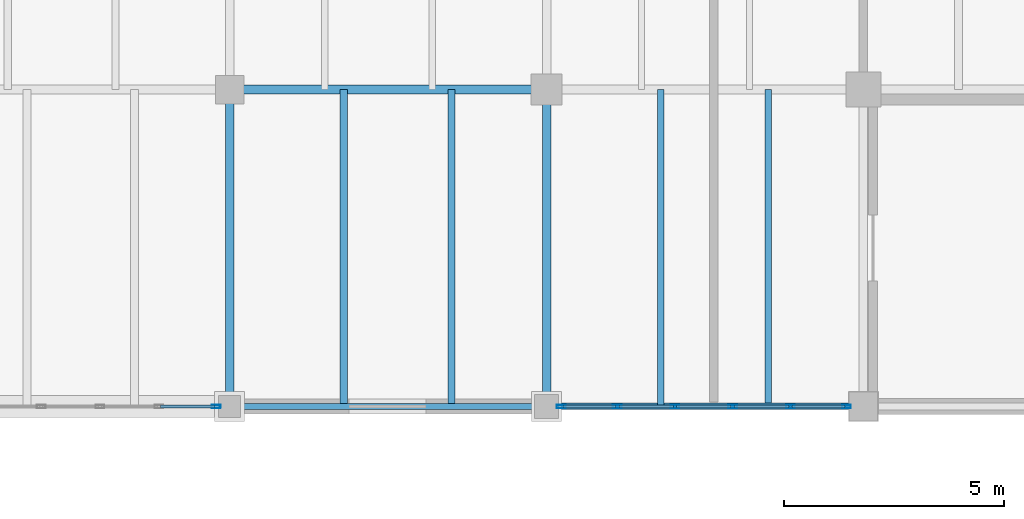
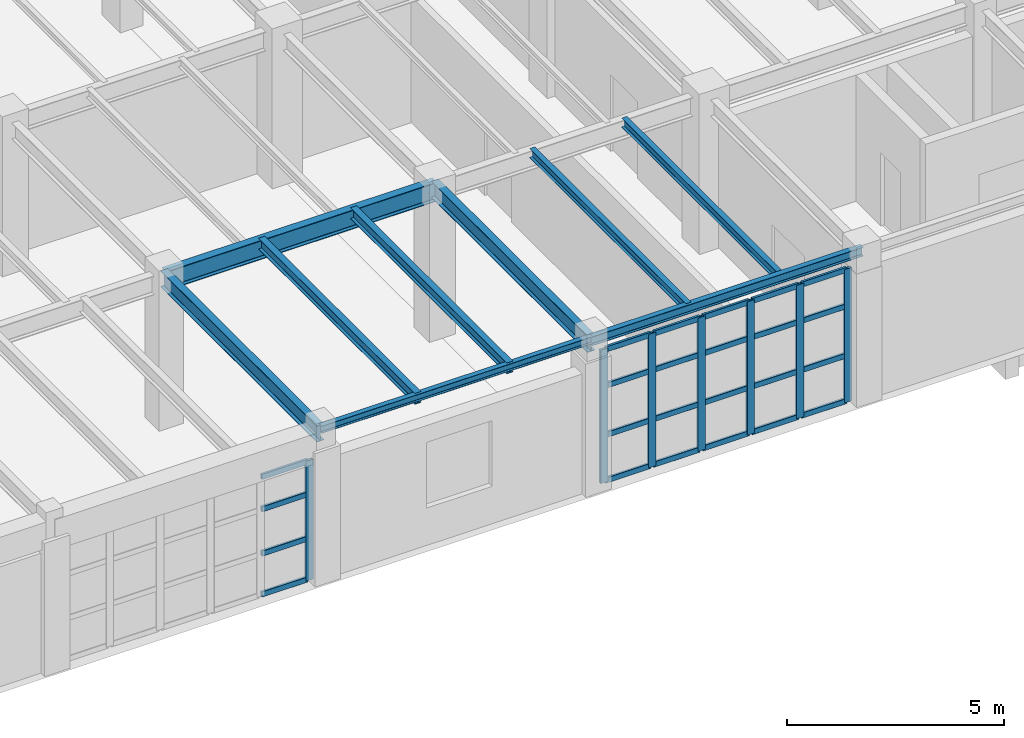
# One storey, part 83 of 137: 31 members, 9 beams, 2 elements without a shape of their own.
"""IFC4 building model written with IfcOpenShell, lengths in metres."""

from ifc_helpers import new_model, si_unit, direction, frame, origin, origin_2d, place, context, subcontext, project, spatial, hollow_rectangle, i_section, extrude, material, layer, layer_set, material_profile, profile_set, type_object, element, aggregate, save


model = new_model("IFC4")

# Units and contexts
model_context = context("Model", 3, precision=1e-05, world=origin(), true_north=direction((0.0, 1.0)))
body_context = subcontext(model_context, "Body", "Model", "MODEL_VIEW")
ifc_project = project(units=[si_unit("LENGTHUNIT", "METRE"), si_unit("AREAUNIT", "SQUARE_METRE"), si_unit("VOLUMEUNIT", "CUBIC_METRE"), si_unit("PLANEANGLEUNIT", "RADIAN"), si_unit("MASSUNIT", "GRAM", prefix="KILO")], contexts=[model_context])

# Site, building, storey
site_placement = place(None, origin())
site = spatial("IfcSite", under=ifc_project, at=site_placement, CompositionType="ELEMENT")
building_placement = place(site_placement, origin())
building = spatial("IfcBuilding", under=site, at=building_placement, Name="Kemerveld Promenade Tramway Depot", CompositionType="ELEMENT")
storey_placement = place(building_placement, frame((0.0, 0.0, 5.39990234375)))
storey = spatial("IfcBuildingStorey", under=building, at=storey_placement, Name="L01", CompositionType="ELEMENT", Elevation=5.39990234375)

# Beams
ifc_material_1 = material(Name="Steel S355", Category="steel")
ifc_material_profile_1 = material_profile(ifc_material_1, i_section(OverallWidth=0.2099609375, OverallDepth=0.53662109375, WebThickness=0.0107421875, FlangeThickness=0.017333984375, FilletRadius=0.0126953125, at=origin_2d()), Name="533x210x101 UB")
ifc_profile_set_1 = profile_set([ifc_material_profile_1], Name="Steel S355")
beam_type_1 = type_object("IfcBeamType", Name="BM-G05", PredefinedType="BEAM", material=ifc_profile_set_1)
beam_1_placement = place(storey_placement, frame((129.60009765625, 57.60009765625, 3.9716796875), z_axis=(1.0, 0.0, 0.0), x_axis=(0.0, 1.0, 0.0)))
element("IfcBeam", 1, at=beam_1_placement, inside=storey, type_object=beam_type_1, Name="BMX-L01-19-20-J", PredefinedType="BEAM", context=body_context, shape_type="SweptSolid", body=[
    extrude(i_section(OverallWidth=0.2099609375, OverallDepth=0.53662109375, WebThickness=0.0107421875, FlangeThickness=0.017333984375, FilletRadius=0.0126953125, at=origin_2d()), origin(), (0.0, 0.0, 1.0), 7.199951171875),
])
ifc_material_profile_2 = material_profile(ifc_material_1, i_section(OverallWidth=0.19140625, OverallDepth=0.4599609375, WebThickness=0.010009765625, FlangeThickness=0.01611328125, FilletRadius=0.01025390625, at=origin_2d()), Name="457x191x82 UB")
ifc_profile_set_2 = profile_set([ifc_material_profile_2], Name="Steel S355")
beam_type_2 = type_object("IfcBeamType", Name="BM-G06", PredefinedType="BEAM", material=ifc_profile_set_2)
for number, where, z_axis, x_axis, name in (
    (2, (129.60009765625, 50.39990234375, 4.010009765625), (0.0, 1.0, 0.0), (-1.0, 0.0, 0.0), "BMY-L01-19-H-J"),
    (3, (136.800048828125, 50.39990234375, 4.010009765625), (0.0, 1.0, 0.0), (-1.0, 0.0, 0.0), "BMY-L01-20-H-J"),
):
    element("IfcBeam", number, at=place(storey_placement, frame(where, z_axis=z_axis, x_axis=x_axis)), inside=storey, type_object=beam_type_2, Name=name, PredefinedType="BEAM", context=body_context, shape_type="SweptSolid", body=[
        extrude(i_section(OverallWidth=0.19140625, OverallDepth=0.4599609375, WebThickness=0.010009765625, FlangeThickness=0.01611328125, FilletRadius=0.01025390625, at=origin_2d()), origin(), (0.0, 0.0, 1.0), 7.2001953125),
    ])
ifc_material_profile_3 = material_profile(ifc_material_1, i_section(OverallWidth=0.13330078125, OverallDepth=0.203125, WebThickness=0.005615234375, FlangeThickness=0.0078125, FilletRadius=0.007568359375, at=origin_2d()), Name="203x133x25 UB")
ifc_profile_set_3 = profile_set([ifc_material_profile_3], Name="Steel S355")
beam_type_3 = type_object("IfcBeamType", Name="BM-G14", PredefinedType="BEAM", material=ifc_profile_set_3)
beam_2_placement = place(storey_placement, frame((129.60009765625, 50.39990234375, 4.138427734375), z_axis=(1.0, 0.0, 0.0), x_axis=(0.0, 1.0, 0.0)))
element("IfcBeam", 4, at=beam_2_placement, inside=storey, type_object=beam_type_3, Name="BMX-L01-19-20-H", PredefinedType="BEAM", context=body_context, shape_type="SweptSolid", body=[
    extrude(i_section(OverallWidth=0.13330078125, OverallDepth=0.203125, WebThickness=0.005615234375, FlangeThickness=0.0078125, FilletRadius=0.007568359375, at=origin_2d()), origin(), (0.0, 0.0, 1.0), 7.199951171875),
])
ifc_material_profile_4 = material_profile(ifc_material_1, i_section(OverallWidth=0.146484375, OverallDepth=0.256103515625, WebThickness=0.00634765625, FlangeThickness=0.010986328125, FilletRadius=0.007568359375, at=origin_2d()), Name="254x146x37 UB")
ifc_profile_set_4 = profile_set([ifc_material_profile_4], Name="Steel S355")
beam_type_4 = type_object("IfcBeamType", Name="BM-G15", PredefinedType="BEAM", material=ifc_profile_set_4)
beam_3_placement = place(storey_placement, frame((136.800048828125, 50.39990234375, 4.112060546875), z_axis=(1.0, 0.0, 0.0), x_axis=(0.0, 1.0, 0.0)))
element("IfcBeam", 5, at=beam_3_placement, inside=storey, type_object=beam_type_4, Name="BMX-L01-20-21-H", PredefinedType="BEAM", context=body_context, shape_type="SweptSolid", body=[
    extrude(i_section(OverallWidth=0.146484375, OverallDepth=0.256103515625, WebThickness=0.00634765625, FlangeThickness=0.010986328125, FilletRadius=0.007568359375, at=origin_2d()), origin(), (0.0, 0.0, 1.0), 7.199951171875),
])
ifc_material_profile_5 = material_profile(ifc_material_1, i_section(OverallWidth=0.165771484375, OverallDepth=0.306640625, WebThickness=0.006591796875, FlangeThickness=0.01171875, FilletRadius=0.0087890625, at=origin_2d()), Name="305x165x46 UB")
ifc_profile_set_5 = profile_set([ifc_material_profile_5], Name="Steel S355")
beam_type_5 = type_object("IfcBeamType", Name="BM-J01", PredefinedType="JOIST", material=ifc_profile_set_5)
for number, where, z_axis, x_axis, name in (
    (6, (132.19189453125, 50.39990234375, 4.0869140625), (0.0, 1.0, 0.0), (-1.0, 0.0, 0.0), "JST-L01-19-H-1"),
    (7, (134.639892578125, 50.39990234375, 4.0869140625), (0.0, 1.0, 0.0), (-1.0, 0.0, 0.0), "JST-L01-19-H-2"),
):
    element("IfcBeam", number, at=place(storey_placement, frame(where, z_axis=z_axis, x_axis=x_axis)), inside=storey, type_object=beam_type_5, Name=name, PredefinedType="JOIST", context=body_context, shape_type="SweptSolid", body=[
        extrude(i_section(OverallWidth=0.165771484375, OverallDepth=0.306640625, WebThickness=0.006591796875, FlangeThickness=0.01171875, FilletRadius=0.0087890625, at=origin_2d()), origin(), (0.0, 0.0, 1.0), 7.2001953125),
    ])
ifc_material_profile_6 = material_profile(ifc_material_1, i_section(OverallWidth=0.146484375, OverallDepth=0.256103515625, WebThickness=0.00634765625, FlangeThickness=0.010986328125, FilletRadius=0.007568359375, at=origin_2d()), Name="254x146x37 UB")
ifc_profile_set_6 = profile_set([ifc_material_profile_6], Name="Steel S355")
beam_type_6 = type_object("IfcBeamType", Name="BM-J02", PredefinedType="JOIST", material=ifc_profile_set_6)
for number, where, z_axis, x_axis, name in (
    (8, (139.39208984375, 50.39990234375, 4.112060546875), (0.0, 1.0, 0.0), (-1.0, 0.0, 0.0), "JST-L01-20-H-1"),
    (9, (141.840087890625, 50.39990234375, 4.112060546875), (0.0, 1.0, 0.0), (-1.0, 0.0, 0.0), "JST-L01-20-H-2"),
):
    element("IfcBeam", number, at=place(storey_placement, frame(where, z_axis=z_axis, x_axis=x_axis)), inside=storey, type_object=beam_type_6, Name=name, PredefinedType="JOIST", context=body_context, shape_type="SweptSolid", body=[
        extrude(i_section(OverallWidth=0.146484375, OverallDepth=0.256103515625, WebThickness=0.00634765625, FlangeThickness=0.010986328125, FilletRadius=0.007568359375, at=origin_2d()), origin(), (0.0, 0.0, 1.0), 7.2001953125),
    ])

# Curtain wall, members
ifc_material_2 = material(Name="Bronze anodised aluminium and solar glass", Category="aluminium")
ifc_layer_1 = layer(ifc_material_2, 0.199951171875)
ifc_layer_set_1 = layer_set([ifc_layer_1], Name="CW-SYS-06")
curtain_wall_type_1 = type_object("IfcCurtainWallType", Name="CW-SYS-06", PredefinedType="USERDEFINED", material=ifc_layer_set_1)
curtain_wall_1_placement = place(storey_placement, origin())
curtain_wall_1 = element("IfcCurtainWall", 10, at=curtain_wall_1_placement, inside=storey, type_object=curtain_wall_type_1, Name="CW-L01-V3S-03", ObjectType="GLAZED_CURTAIN_WALL", PredefinedType="USERDEFINED")
ifc_material_3 = material(Name="Bronze anodised aluminium", Category="aluminium")
ifc_material_profile_7 = material_profile(ifc_material_3, hollow_rectangle(XDim=0.074951171875, YDim=0.199951171875, WallThickness=0.0048828125, InnerFilletRadius=0.001953125, OuterFilletRadius=0.0048828125, at=origin_2d()), Name="CW-MUL-200x75")
ifc_profile_set_7 = profile_set([ifc_material_profile_7], Name="Bronze anodised aluminium")
member_type_1 = type_object("IfcMemberType", Name="CW-MUL-B", PredefinedType="MULLION", material=ifc_profile_set_7)
member_1_placement = place(storey_placement, frame((143.617431640625, 50.39990234375, 0.0), z_axis=(0.0, 0.0, 1.0), x_axis=(0.0, -1.0, 0.0)))
member_1 = element("IfcMember", 11, at=member_1_placement, type_object=member_type_1, Name="CW06 mullion 1", PredefinedType="MULLION", context=body_context, shape_type="SweptSolid", body=[
    extrude(hollow_rectangle(XDim=0.074951171875, YDim=0.199951171875, WallThickness=0.0048828125, InnerFilletRadius=0.001953125, OuterFilletRadius=0.0048828125, at=origin_2d()), origin(), (0.0, 0.0, 1.0), 3.75),
])
member_2_placement = place(storey_placement, frame((142.343017578125, 50.39990234375, 0.0), z_axis=(0.0, 0.0, 1.0), x_axis=(0.0, -1.0, 0.0)))
member_2 = element("IfcMember", 12, at=member_2_placement, type_object=member_type_1, Name="CW06 mullion 2", PredefinedType="MULLION", context=body_context, shape_type="SweptSolid", body=[
    extrude(hollow_rectangle(XDim=0.074951171875, YDim=0.199951171875, WallThickness=0.0048828125, InnerFilletRadius=0.001953125, OuterFilletRadius=0.0048828125, at=origin_2d()), origin(), (0.0, 0.0, 1.0), 3.75),
])
member_3_placement = place(storey_placement, frame((141.031005859375, 50.39990234375, 0.0), z_axis=(0.0, 0.0, 1.0), x_axis=(0.0, -1.0, 0.0)))
member_3 = element("IfcMember", 13, at=member_3_placement, type_object=member_type_1, Name="CW06 mullion 3", PredefinedType="MULLION", context=body_context, shape_type="SweptSolid", body=[
    extrude(hollow_rectangle(XDim=0.074951171875, YDim=0.199951171875, WallThickness=0.0048828125, InnerFilletRadius=0.001953125, OuterFilletRadius=0.0048828125, at=origin_2d()), origin(), (0.0, 0.0, 1.0), 3.75),
])
member_4_placement = place(storey_placement, frame((139.718994140625, 50.39990234375, 0.0), z_axis=(0.0, 0.0, 1.0), x_axis=(0.0, -1.0, 0.0)))
member_4 = element("IfcMember", 14, at=member_4_placement, type_object=member_type_1, Name="CW06 mullion 4", PredefinedType="MULLION", context=body_context, shape_type="SweptSolid", body=[
    extrude(hollow_rectangle(XDim=0.074951171875, YDim=0.199951171875, WallThickness=0.0048828125, InnerFilletRadius=0.001953125, OuterFilletRadius=0.0048828125, at=origin_2d()), origin(), (0.0, 0.0, 1.0), 3.75),
])
member_5_placement = place(storey_placement, frame((138.406982421875, 50.39990234375, 0.0), z_axis=(0.0, 0.0, 1.0), x_axis=(0.0, -1.0, 0.0)))
member_5 = element("IfcMember", 15, at=member_5_placement, type_object=member_type_1, Name="CW06 mullion 5", PredefinedType="MULLION", context=body_context, shape_type="SweptSolid", body=[
    extrude(hollow_rectangle(XDim=0.074951171875, YDim=0.199951171875, WallThickness=0.0048828125, InnerFilletRadius=0.001953125, OuterFilletRadius=0.0048828125, at=origin_2d()), origin(), (0.0, 0.0, 1.0), 3.75),
])
member_6_placement = place(storey_placement, frame((137.132568359375, 50.39990234375, 0.0), z_axis=(0.0, 0.0, 1.0), x_axis=(0.0, -1.0, 0.0)))
member_6 = element("IfcMember", 16, at=member_6_placement, type_object=member_type_1, Name="CW06 mullion 6", PredefinedType="MULLION", context=body_context, shape_type="SweptSolid", body=[
    extrude(hollow_rectangle(XDim=0.074951171875, YDim=0.199951171875, WallThickness=0.0048828125, InnerFilletRadius=0.001953125, OuterFilletRadius=0.0048828125, at=origin_2d()), origin(), (0.0, 0.0, 1.0), 3.75),
])

# Curtain wall, member
ifc_layer_2 = layer(ifc_material_2, 0.199951171875)
ifc_layer_set_2 = layer_set([ifc_layer_2], Name="CW-SYS-08")
curtain_wall_type_2 = type_object("IfcCurtainWallType", Name="CW-SYS-08", PredefinedType="USERDEFINED", material=ifc_layer_set_2)
curtain_wall_2_placement = place(storey_placement, origin())
curtain_wall_2 = element("IfcCurtainWall", 17, at=curtain_wall_2_placement, inside=storey, type_object=curtain_wall_type_2, Name="CW-L01-V3S-05", ObjectType="GLAZED_CURTAIN_WALL", PredefinedType="USERDEFINED")
member_7_placement = place(storey_placement, frame((129.29248046875, 50.39990234375, 0.0), z_axis=(0.0, 0.0, 1.0), x_axis=(0.0, -1.0, 0.0)))
member_7 = element("IfcMember", 18, at=member_7_placement, type_object=member_type_1, Name="CW08 mullion 1", PredefinedType="MULLION", context=body_context, shape_type="SweptSolid", body=[
    extrude(hollow_rectangle(XDim=0.074951171875, YDim=0.199951171875, WallThickness=0.0048828125, InnerFilletRadius=0.001953125, OuterFilletRadius=0.0048828125, at=origin_2d()), origin(), (0.0, 0.0, 1.0), 3.3701171875),
])

# Member
ifc_material_profile_8 = material_profile(ifc_material_3, hollow_rectangle(XDim=0.06494140625, YDim=0.14990234375, WallThickness=0.00439453125, InnerFilletRadius=0.001953125, OuterFilletRadius=0.00439453125, at=origin_2d()), Name="CW-TRN-150x65")
ifc_profile_set_8 = profile_set([ifc_material_profile_8], Name="Bronze anodised aluminium")
member_type_2 = type_object("IfcMemberType", Name="CW-TRN-B", PredefinedType="USERDEFINED", material=ifc_profile_set_8)
member_8_placement = place(storey_placement, frame((143.580078125, 50.39990234375, 0.03271484375), z_axis=(-1.0, 0.0, 0.0), x_axis=(0.0, -1.0, 0.0)))
member_8 = element("IfcMember", 19, at=member_8_placement, type_object=member_type_2, Name="CW06 transom 1.1", ObjectType="TRANSOM", PredefinedType="USERDEFINED", context=body_context, shape_type="SweptSolid", body=[
    extrude(hollow_rectangle(XDim=0.06494140625, YDim=0.14990234375, WallThickness=0.00439453125, InnerFilletRadius=0.001953125, OuterFilletRadius=0.00439453125, at=origin_2d()), origin(), (0.0, 0.0, 1.0), 1.199462890625),
])

member_9_placement = place(storey_placement, frame((143.580078125, 50.39990234375, 1.31298828125), z_axis=(-1.0, 0.0, 0.0), x_axis=(0.0, -1.0, 0.0)))
member_9 = element("IfcMember", 20, at=member_9_placement, type_object=member_type_2, Name="CW06 transom 1.2", ObjectType="TRANSOM", PredefinedType="USERDEFINED", context=body_context, shape_type="SweptSolid", body=[
    extrude(hollow_rectangle(XDim=0.06494140625, YDim=0.14990234375, WallThickness=0.00439453125, InnerFilletRadius=0.001953125, OuterFilletRadius=0.00439453125, at=origin_2d()), origin(), (0.0, 0.0, 1.0), 1.199462890625),
])

member_10_placement = place(storey_placement, frame((143.580078125, 50.39990234375, 2.7001953125), z_axis=(-1.0, 0.0, 0.0), x_axis=(0.0, -1.0, 0.0)))
member_10 = element("IfcMember", 21, at=member_10_placement, type_object=member_type_2, Name="CW06 transom 1.3", ObjectType="TRANSOM", PredefinedType="USERDEFINED", context=body_context, shape_type="SweptSolid", body=[
    extrude(hollow_rectangle(XDim=0.06494140625, YDim=0.14990234375, WallThickness=0.00439453125, InnerFilletRadius=0.001953125, OuterFilletRadius=0.00439453125, at=origin_2d()), origin(), (0.0, 0.0, 1.0), 1.199462890625),
])

member_11_placement = place(storey_placement, frame((143.580078125, 50.39990234375, 3.717529296875), z_axis=(-1.0, 0.0, 0.0), x_axis=(0.0, -1.0, 0.0)))
member_11 = element("IfcMember", 22, at=member_11_placement, type_object=member_type_2, Name="CW06 transom 1.4", ObjectType="TRANSOM", PredefinedType="USERDEFINED", context=body_context, shape_type="SweptSolid", body=[
    extrude(hollow_rectangle(XDim=0.06494140625, YDim=0.14990234375, WallThickness=0.00439453125, InnerFilletRadius=0.001953125, OuterFilletRadius=0.00439453125, at=origin_2d()), origin(), (0.0, 0.0, 1.0), 1.199462890625),
])

member_12_placement = place(storey_placement, frame((142.305419921875, 50.39990234375, 0.03271484375), z_axis=(-1.0, 0.0, 0.0), x_axis=(0.0, -1.0, 0.0)))
member_12 = element("IfcMember", 23, at=member_12_placement, type_object=member_type_2, Name="CW06 transom 2.1", ObjectType="TRANSOM", PredefinedType="USERDEFINED", context=body_context, shape_type="SweptSolid", body=[
    extrude(hollow_rectangle(XDim=0.06494140625, YDim=0.14990234375, WallThickness=0.00439453125, InnerFilletRadius=0.001953125, OuterFilletRadius=0.00439453125, at=origin_2d()), origin(), (0.0, 0.0, 1.0), 1.23681640625),
])

member_13_placement = place(storey_placement, frame((142.305419921875, 50.39990234375, 1.31298828125), z_axis=(-1.0, 0.0, 0.0), x_axis=(0.0, -1.0, 0.0)))
member_13 = element("IfcMember", 24, at=member_13_placement, type_object=member_type_2, Name="CW06 transom 2.2", ObjectType="TRANSOM", PredefinedType="USERDEFINED", context=body_context, shape_type="SweptSolid", body=[
    extrude(hollow_rectangle(XDim=0.06494140625, YDim=0.14990234375, WallThickness=0.00439453125, InnerFilletRadius=0.001953125, OuterFilletRadius=0.00439453125, at=origin_2d()), origin(), (0.0, 0.0, 1.0), 1.23681640625),
])

member_14_placement = place(storey_placement, frame((142.305419921875, 50.39990234375, 2.7001953125), z_axis=(-1.0, 0.0, 0.0), x_axis=(0.0, -1.0, 0.0)))
member_14 = element("IfcMember", 25, at=member_14_placement, type_object=member_type_2, Name="CW06 transom 2.3", ObjectType="TRANSOM", PredefinedType="USERDEFINED", context=body_context, shape_type="SweptSolid", body=[
    extrude(hollow_rectangle(XDim=0.06494140625, YDim=0.14990234375, WallThickness=0.00439453125, InnerFilletRadius=0.001953125, OuterFilletRadius=0.00439453125, at=origin_2d()), origin(), (0.0, 0.0, 1.0), 1.23681640625),
])

member_15_placement = place(storey_placement, frame((142.305419921875, 50.39990234375, 3.717529296875), z_axis=(-1.0, 0.0, 0.0), x_axis=(0.0, -1.0, 0.0)))
member_15 = element("IfcMember", 26, at=member_15_placement, type_object=member_type_2, Name="CW06 transom 2.4", ObjectType="TRANSOM", PredefinedType="USERDEFINED", context=body_context, shape_type="SweptSolid", body=[
    extrude(hollow_rectangle(XDim=0.06494140625, YDim=0.14990234375, WallThickness=0.00439453125, InnerFilletRadius=0.001953125, OuterFilletRadius=0.00439453125, at=origin_2d()), origin(), (0.0, 0.0, 1.0), 1.23681640625),
])

member_16_placement = place(storey_placement, frame((140.993408203125, 50.39990234375, 0.03271484375), z_axis=(-1.0, 0.0, 0.0), x_axis=(0.0, -1.0, 0.0)))
member_16 = element("IfcMember", 27, at=member_16_placement, type_object=member_type_2, Name="CW06 transom 3.1", ObjectType="TRANSOM", PredefinedType="USERDEFINED", context=body_context, shape_type="SweptSolid", body=[
    extrude(hollow_rectangle(XDim=0.06494140625, YDim=0.14990234375, WallThickness=0.00439453125, InnerFilletRadius=0.001953125, OuterFilletRadius=0.00439453125, at=origin_2d()), origin(), (0.0, 0.0, 1.0), 1.23681640625),
])

member_17_placement = place(storey_placement, frame((140.993408203125, 50.39990234375, 1.31298828125), z_axis=(-1.0, 0.0, 0.0), x_axis=(0.0, -1.0, 0.0)))
member_17 = element("IfcMember", 28, at=member_17_placement, type_object=member_type_2, Name="CW06 transom 3.2", ObjectType="TRANSOM", PredefinedType="USERDEFINED", context=body_context, shape_type="SweptSolid", body=[
    extrude(hollow_rectangle(XDim=0.06494140625, YDim=0.14990234375, WallThickness=0.00439453125, InnerFilletRadius=0.001953125, OuterFilletRadius=0.00439453125, at=origin_2d()), origin(), (0.0, 0.0, 1.0), 1.23681640625),
])

member_18_placement = place(storey_placement, frame((140.993408203125, 50.39990234375, 2.7001953125), z_axis=(-1.0, 0.0, 0.0), x_axis=(0.0, -1.0, 0.0)))
member_18 = element("IfcMember", 29, at=member_18_placement, type_object=member_type_2, Name="CW06 transom 3.3", ObjectType="TRANSOM", PredefinedType="USERDEFINED", context=body_context, shape_type="SweptSolid", body=[
    extrude(hollow_rectangle(XDim=0.06494140625, YDim=0.14990234375, WallThickness=0.00439453125, InnerFilletRadius=0.001953125, OuterFilletRadius=0.00439453125, at=origin_2d()), origin(), (0.0, 0.0, 1.0), 1.23681640625),
])

member_19_placement = place(storey_placement, frame((140.993408203125, 50.39990234375, 3.717529296875), z_axis=(-1.0, 0.0, 0.0), x_axis=(0.0, -1.0, 0.0)))
member_19 = element("IfcMember", 30, at=member_19_placement, type_object=member_type_2, Name="CW06 transom 3.4", ObjectType="TRANSOM", PredefinedType="USERDEFINED", context=body_context, shape_type="SweptSolid", body=[
    extrude(hollow_rectangle(XDim=0.06494140625, YDim=0.14990234375, WallThickness=0.00439453125, InnerFilletRadius=0.001953125, OuterFilletRadius=0.00439453125, at=origin_2d()), origin(), (0.0, 0.0, 1.0), 1.23681640625),
])

member_20_placement = place(storey_placement, frame((139.681396484375, 50.39990234375, 0.03271484375), z_axis=(-1.0, 0.0, 0.0), x_axis=(0.0, -1.0, 0.0)))
member_20 = element("IfcMember", 31, at=member_20_placement, type_object=member_type_2, Name="CW06 transom 4.1", ObjectType="TRANSOM", PredefinedType="USERDEFINED", context=body_context, shape_type="SweptSolid", body=[
    extrude(hollow_rectangle(XDim=0.06494140625, YDim=0.14990234375, WallThickness=0.00439453125, InnerFilletRadius=0.001953125, OuterFilletRadius=0.00439453125, at=origin_2d()), origin(), (0.0, 0.0, 1.0), 1.23681640625),
])

member_21_placement = place(storey_placement, frame((139.681396484375, 50.39990234375, 1.31298828125), z_axis=(-1.0, 0.0, 0.0), x_axis=(0.0, -1.0, 0.0)))
member_21 = element("IfcMember", 32, at=member_21_placement, type_object=member_type_2, Name="CW06 transom 4.2", ObjectType="TRANSOM", PredefinedType="USERDEFINED", context=body_context, shape_type="SweptSolid", body=[
    extrude(hollow_rectangle(XDim=0.06494140625, YDim=0.14990234375, WallThickness=0.00439453125, InnerFilletRadius=0.001953125, OuterFilletRadius=0.00439453125, at=origin_2d()), origin(), (0.0, 0.0, 1.0), 1.23681640625),
])

member_22_placement = place(storey_placement, frame((139.681396484375, 50.39990234375, 2.7001953125), z_axis=(-1.0, 0.0, 0.0), x_axis=(0.0, -1.0, 0.0)))
member_22 = element("IfcMember", 33, at=member_22_placement, type_object=member_type_2, Name="CW06 transom 4.3", ObjectType="TRANSOM", PredefinedType="USERDEFINED", context=body_context, shape_type="SweptSolid", body=[
    extrude(hollow_rectangle(XDim=0.06494140625, YDim=0.14990234375, WallThickness=0.00439453125, InnerFilletRadius=0.001953125, OuterFilletRadius=0.00439453125, at=origin_2d()), origin(), (0.0, 0.0, 1.0), 1.23681640625),
])

member_23_placement = place(storey_placement, frame((139.681396484375, 50.39990234375, 3.717529296875), z_axis=(-1.0, 0.0, 0.0), x_axis=(0.0, -1.0, 0.0)))
member_23 = element("IfcMember", 34, at=member_23_placement, type_object=member_type_2, Name="CW06 transom 4.4", ObjectType="TRANSOM", PredefinedType="USERDEFINED", context=body_context, shape_type="SweptSolid", body=[
    extrude(hollow_rectangle(XDim=0.06494140625, YDim=0.14990234375, WallThickness=0.00439453125, InnerFilletRadius=0.001953125, OuterFilletRadius=0.00439453125, at=origin_2d()), origin(), (0.0, 0.0, 1.0), 1.23681640625),
])

member_24_placement = place(storey_placement, frame((138.369384765625, 50.39990234375, 0.03271484375), z_axis=(-1.0, 0.0, 0.0), x_axis=(0.0, -1.0, 0.0)))
member_24 = element("IfcMember", 35, at=member_24_placement, type_object=member_type_2, Name="CW06 transom 5.1", ObjectType="TRANSOM", PredefinedType="USERDEFINED", context=body_context, shape_type="SweptSolid", body=[
    extrude(hollow_rectangle(XDim=0.06494140625, YDim=0.14990234375, WallThickness=0.00439453125, InnerFilletRadius=0.001953125, OuterFilletRadius=0.00439453125, at=origin_2d()), origin(), (0.0, 0.0, 1.0), 1.199462890625),
])

member_25_placement = place(storey_placement, frame((138.369384765625, 50.39990234375, 1.31298828125), z_axis=(-1.0, 0.0, 0.0), x_axis=(0.0, -1.0, 0.0)))
member_25 = element("IfcMember", 36, at=member_25_placement, type_object=member_type_2, Name="CW06 transom 5.2", ObjectType="TRANSOM", PredefinedType="USERDEFINED", context=body_context, shape_type="SweptSolid", body=[
    extrude(hollow_rectangle(XDim=0.06494140625, YDim=0.14990234375, WallThickness=0.00439453125, InnerFilletRadius=0.001953125, OuterFilletRadius=0.00439453125, at=origin_2d()), origin(), (0.0, 0.0, 1.0), 1.199462890625),
])

member_26_placement = place(storey_placement, frame((138.369384765625, 50.39990234375, 2.7001953125), z_axis=(-1.0, 0.0, 0.0), x_axis=(0.0, -1.0, 0.0)))
member_26 = element("IfcMember", 37, at=member_26_placement, type_object=member_type_2, Name="CW06 transom 5.3", ObjectType="TRANSOM", PredefinedType="USERDEFINED", context=body_context, shape_type="SweptSolid", body=[
    extrude(hollow_rectangle(XDim=0.06494140625, YDim=0.14990234375, WallThickness=0.00439453125, InnerFilletRadius=0.001953125, OuterFilletRadius=0.00439453125, at=origin_2d()), origin(), (0.0, 0.0, 1.0), 1.199462890625),
])

member_27_placement = place(storey_placement, frame((138.369384765625, 50.39990234375, 3.717529296875), z_axis=(-1.0, 0.0, 0.0), x_axis=(0.0, -1.0, 0.0)))
member_27 = element("IfcMember", 38, at=member_27_placement, type_object=member_type_2, Name="CW06 transom 5.4", ObjectType="TRANSOM", PredefinedType="USERDEFINED", context=body_context, shape_type="SweptSolid", body=[
    extrude(hollow_rectangle(XDim=0.06494140625, YDim=0.14990234375, WallThickness=0.00439453125, InnerFilletRadius=0.001953125, OuterFilletRadius=0.00439453125, at=origin_2d()), origin(), (0.0, 0.0, 1.0), 1.199462890625),
])

aggregate(curtain_wall_1, [member_1, member_2, member_3, member_4, member_5, member_6, member_8, member_9, member_10, member_11, member_12, member_13, member_14, member_15, member_16, member_17, member_18, member_19, member_20, member_21, member_22, member_23, member_24, member_25, member_26, member_27])

member_28_placement = place(storey_placement, frame((129.2548828125, 50.39990234375, 0.03271484375), z_axis=(-1.0, 0.0, 0.0), x_axis=(0.0, -1.0, 0.0)))
member_28 = element("IfcMember", 39, at=member_28_placement, type_object=member_type_2, Name="CW08 transom 1.1", ObjectType="TRANSOM", PredefinedType="USERDEFINED", context=body_context, shape_type="SweptSolid", body=[
    extrude(hollow_rectangle(XDim=0.06494140625, YDim=0.14990234375, WallThickness=0.00439453125, InnerFilletRadius=0.001953125, OuterFilletRadius=0.00439453125, at=origin_2d()), origin(), (0.0, 0.0, 1.0), 1.224365234375),
])

member_29_placement = place(storey_placement, frame((129.2548828125, 50.39990234375, 1.17919921875), z_axis=(-1.0, 0.0, 0.0), x_axis=(0.0, -1.0, 0.0)))
member_29 = element("IfcMember", 40, at=member_29_placement, type_object=member_type_2, Name="CW08 transom 1.2", ObjectType="TRANSOM", PredefinedType="USERDEFINED", context=body_context, shape_type="SweptSolid", body=[
    extrude(hollow_rectangle(XDim=0.06494140625, YDim=0.14990234375, WallThickness=0.00439453125, InnerFilletRadius=0.001953125, OuterFilletRadius=0.00439453125, at=origin_2d()), origin(), (0.0, 0.0, 1.0), 1.224365234375),
])

member_30_placement = place(storey_placement, frame((129.2548828125, 50.39990234375, 2.426025390625), z_axis=(-1.0, 0.0, 0.0), x_axis=(0.0, -1.0, 0.0)))
member_30 = element("IfcMember", 41, at=member_30_placement, type_object=member_type_2, Name="CW08 transom 1.3", ObjectType="TRANSOM", PredefinedType="USERDEFINED", context=body_context, shape_type="SweptSolid", body=[
    extrude(hollow_rectangle(XDim=0.06494140625, YDim=0.14990234375, WallThickness=0.00439453125, InnerFilletRadius=0.001953125, OuterFilletRadius=0.00439453125, at=origin_2d()), origin(), (0.0, 0.0, 1.0), 1.224365234375),
])

member_31_placement = place(storey_placement, frame((129.2548828125, 50.39990234375, 3.337646484375), z_axis=(-1.0, 0.0, 0.0), x_axis=(0.0, -1.0, 0.0)))
member_31 = element("IfcMember", 42, at=member_31_placement, type_object=member_type_2, Name="CW08 transom 1.4", ObjectType="TRANSOM", PredefinedType="USERDEFINED", context=body_context, shape_type="SweptSolid", body=[
    extrude(hollow_rectangle(XDim=0.06494140625, YDim=0.14990234375, WallThickness=0.00439453125, InnerFilletRadius=0.001953125, OuterFilletRadius=0.00439453125, at=origin_2d()), origin(), (0.0, 0.0, 1.0), 1.224365234375),
])

aggregate(curtain_wall_2, [member_7, member_28, member_29, member_30, member_31])

save(model, "model.ifc")
